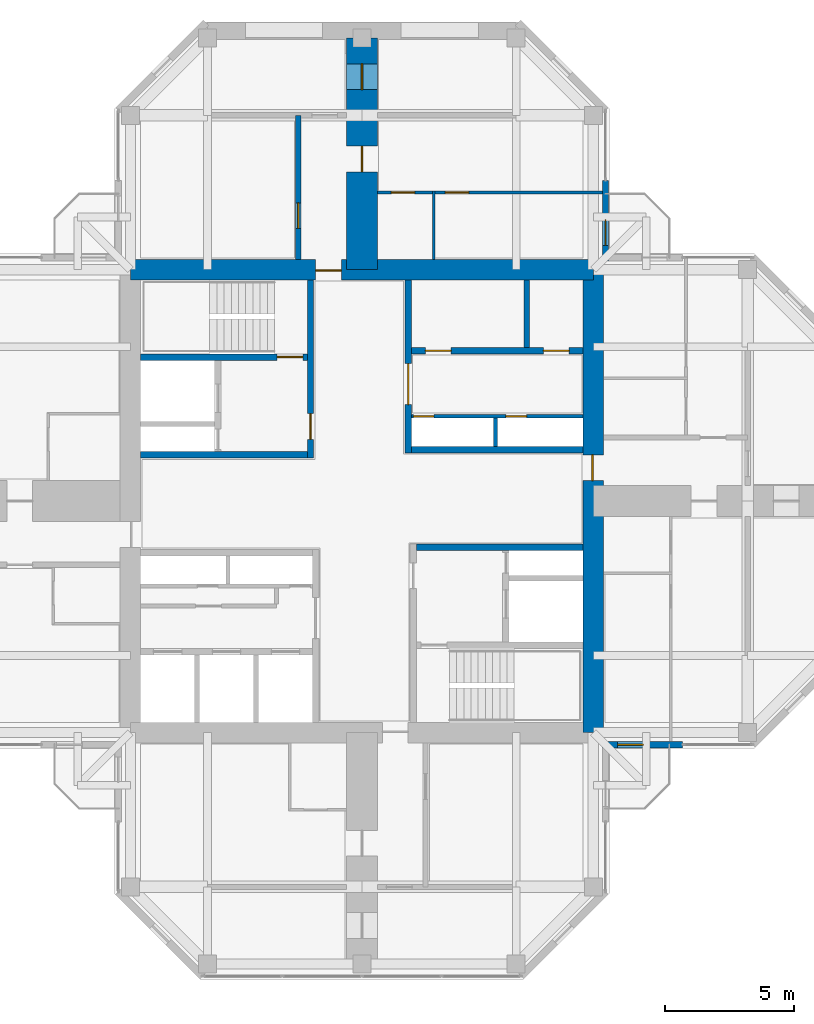
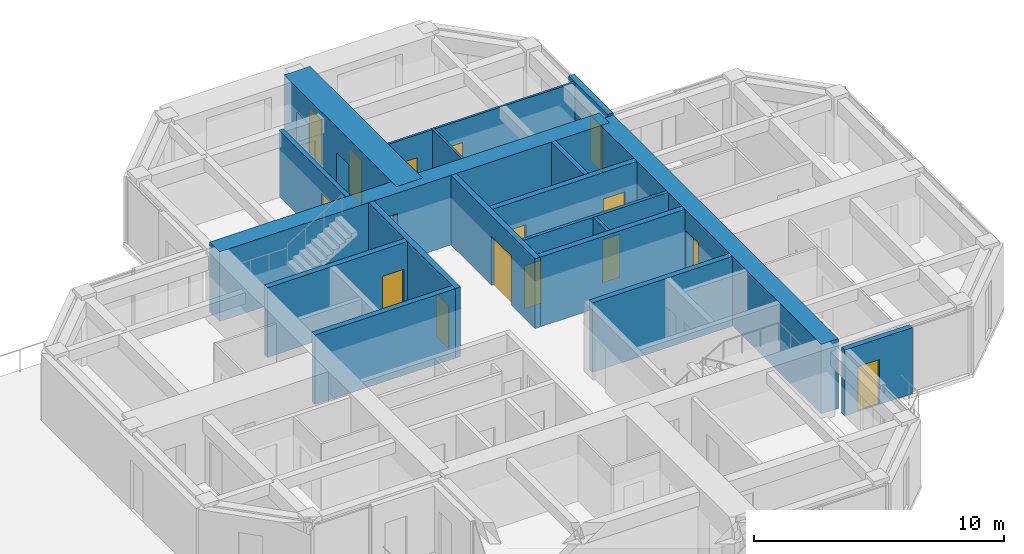
# One storey, part 10 of 14: 18 walls, 16 doors, 16 openings.
"""IFC4 building model written with IfcOpenShell, lengths in metres."""

from ifc_helpers import new_model, si_unit, direction, frame, frame_2d, origin, place, context, subcontext, project, spatial, rectangle, hollow_rectangle, extrude, material, layer, layer_set, constituent, constituent_set, type_object, element, fill, save


model = new_model("IFC4")

# Units and contexts
model_context = context("Model", 3, precision=1e-05, world=origin(), true_north=direction((0.0, 1.0)))
body_context = subcontext(model_context, "Body", "Model", "MODEL_VIEW")
ifc_project = project(units=[si_unit("LENGTHUNIT", "METRE"), si_unit("AREAUNIT", "SQUARE_METRE"), si_unit("VOLUMEUNIT", "CUBIC_METRE"), si_unit("PLANEANGLEUNIT", "RADIAN"), si_unit("MASSUNIT", "GRAM", prefix="KILO")], contexts=[model_context])

# Site, building, storey
site_placement = place(None, origin())
site = spatial("IfcSite", under=ifc_project, at=site_placement, CompositionType="ELEMENT")
building_placement = place(site_placement, origin())
building = spatial("IfcBuilding", under=site, at=building_placement, Name="Torre Cruceta", CompositionType="ELEMENT")
storey_placement = place(building_placement, frame((0.0, 0.0, 257.699951171875)))
storey = spatial("IfcBuildingStorey", under=building, at=storey_placement, Name="L66", CompositionType="ELEMENT", Elevation=257.699951171875)

# Wall
ifc_material_1 = material(Name="Water-resistant plasterboard on steel studs", Category="steel")
ifc_layer_1 = layer(ifc_material_1, 0.10009765625)
ifc_layer_set_1 = layer_set([ifc_layer_1], Name="Water-resistant plasterboard on steel studs")
wall_type_1 = type_object("IfcWallType", Name="BATHROOM WALL 100", PredefinedType="PARTITIONING", material=ifc_layer_set_1)
wall_1_placement = place(storey_placement, frame((2.800048828125, 9.39990234375, 0.0), z_axis=(0.0, 0.0, 1.0), x_axis=(0.0, 1.0, 0.0)))
element("IfcWall", 1, at=wall_1_placement, inside=storey, type_object=wall_type_1, Name="PT4 L66-N-U1RBB", PredefinedType="PARTITIONING", context=body_context, shape_type="SweptSolid", body=[
    extrude(rectangle(XDim=2.650146484375, YDim=0.10009765625, at=frame_2d((1.3251953125, 0.0))), origin(), (0.0, 0.0, 1.0), 3.219970703125),
])

# Wall, openings, doors
wall_2_placement = place(storey_placement, frame((9.344970703125, 12.0, 0.0), z_axis=(0.0, 0.0, 1.0), x_axis=(-1.0, 0.0, 0.0)))
wall_2 = element("IfcWall", 2, at=wall_2_placement, inside=storey, type_object=wall_type_1, Name="PT4 L66-N-U1RBS", PredefinedType="PARTITIONING", context=body_context, shape_type="SweptSolid", body=[
    extrude(rectangle(XDim=8.744873046875, YDim=0.10009765625, at=frame_2d((4.37255859375, 0.0))), origin(), (0.0, 0.0, 1.0), 3.219970703125),
])
opening_1_placement = place(wall_2_placement, frame((5.195068359375, 0.0, 0.0)))
opening_1 = element("IfcOpeningElement", 3, at=opening_1_placement, cuts=wall_2, Name="Opening D7", PredefinedType="OPENING", context=body_context, shape_type="SweptSolid", body=[
    extrude(rectangle(XDim=0.89990234375, YDim=2.10009765625, at=frame_2d((0.449951171875, 1.050048828125))), frame((0.0, 0.06005859375, 0.0), z_axis=(0.0, -1.0, 0.0), x_axis=(1.0, 0.0, 0.0)), (0.0, 0.0, 1.0), 0.1201171875),
])
opening_2_placement = place(wall_2_placement, frame((7.294921875, 0.0, 0.0)))
opening_2 = element("IfcOpeningElement", 4, at=opening_2_placement, cuts=wall_2, Name="Opening D7", PredefinedType="OPENING", context=body_context, shape_type="SweptSolid", body=[
    extrude(rectangle(XDim=0.89990234375, YDim=2.10009765625, at=frame_2d((0.449951171875, 1.050048828125))), frame((0.0, 0.06005859375, 0.0), z_axis=(0.0, -1.0, 0.0), x_axis=(1.0, 0.0, 0.0)), (0.0, 0.0, 1.0), 0.1201171875),
])
ifc_material_2 = material(Name="Timber door", Category="wood")
door_type_1 = type_object("IfcDoorType", Name="BATHROOM DOOR 900X2100", OperationType="SINGLE_SWING_LEFT", PredefinedType="DOOR", material=ifc_material_2)
door_1_placement = place(opening_1_placement, origin())
door_1 = element("IfcDoor", 5, at=door_1_placement, inside=storey, type_object=door_type_1, Name="D7 L66-N-U1RBS-D1", OperationType="SINGLE_SWING_RIGHT", OverallHeight=2.10009765625, OverallWidth=0.89990234375, PredefinedType="DOOR", context=body_context, shape_type="SweptSolid", body=[
    extrude(rectangle(XDim=0.89990234375, YDim=2.10009765625, at=frame_2d((0.449951171875, 1.050048828125))), frame((0.0, 0.02490234375, 0.0), z_axis=(0.0, -1.0, 0.0), x_axis=(1.0, 0.0, 0.0)), (0.0, 0.0, 1.0), 0.050048828125),
])
fill(opening_1, door_1)
door_2_placement = place(opening_2_placement, origin())
door_2 = element("IfcDoor", 6, at=door_2_placement, inside=storey, type_object=door_type_1, Name="D7 L66-N-U1RBS-D2", OperationType="SINGLE_SWING_RIGHT", OverallHeight=2.10009765625, OverallWidth=0.89990234375, PredefinedType="DOOR", context=body_context, shape_type="SweptSolid", body=[
    extrude(rectangle(XDim=0.89990234375, YDim=2.10009765625, at=frame_2d((0.449951171875, 1.050048828125))), frame((0.0, 0.02490234375, 0.0), z_axis=(0.0, -1.0, 0.0), x_axis=(1.0, 0.0, 0.0)), (0.0, 0.0, 1.0), 0.050048828125),
])
fill(opening_2, door_2)

# Wall, opening, door
ifc_material_3 = material(Name="Concrete G60 (fck 60 MPa)", Category="concrete")
ifc_layer_2 = layer(ifc_material_3, 0.25)
ifc_layer_set_2 = layer_set([ifc_layer_2], Name="Concrete G60 (fck 60 MPa)")
wall_type_2 = type_object("IfcWallType", Name="CORE INNER WALL 250 G60", PredefinedType="SHEAR", material=ifc_layer_set_2)
wall_3_placement = place(storey_placement, frame((1.800048828125, 1.875, 0.0), z_axis=(0.0, 0.0, 1.0), x_axis=(0.0, 1.0, 0.0)))
wall_3 = element("IfcWall", 7, at=wall_3_placement, inside=storey, type_object=wall_type_2, Name="CW4 L66 NE-CU", PredefinedType="SHEAR", context=body_context, shape_type="SweptSolid", body=[
    extrude(rectangle(XDim=6.72509765625, YDim=0.25, at=frame_2d((3.362548828125, 0.0))), origin(), (0.0, 0.0, 1.0), 3.400146484375),
])
opening_3_placement = place(wall_3_placement, frame((1.875, 0.0, 0.0)))
opening_3 = element("IfcOpeningElement", 8, at=opening_3_placement, cuts=wall_3, Name="Opening D15", PredefinedType="OPENING", context=body_context, shape_type="SweptSolid", body=[
    extrude(rectangle(XDim=1.60009765625, YDim=2.39990234375, at=frame_2d((0.800048828125, 1.199951171875))), frame((0.0, 0.135009765625, 0.0), z_axis=(0.0, -1.0, 0.0), x_axis=(1.0, 0.0, 0.0)), (0.0, 0.0, 1.0), 0.27001953125),
])
ifc_material_4 = material(Name="Steel DX51D", Category="steel")
ifc_constituent_1 = constituent(ifc_material_4, Name="Leaf and frame")
ifc_material_5 = material(Name="Polyester powder coating", Category="paint")
ifc_constituent_2 = constituent(ifc_material_5, Name="Finish")
ifc_constituent_set_1 = constituent_set(constituents=[ifc_constituent_1, ifc_constituent_2], Name="Steel fire door")
door_type_2 = type_object("IfcDoorType", Name="CORE ROOM DOUBLE DOOR 1600X2400", OperationType="DOUBLE_DOOR_SINGLE_SWING", PredefinedType="DOOR", material=ifc_constituent_set_1)
door_3_placement = place(opening_3_placement, frame((1.60009765625, 0.0, 0.0), z_axis=(0.0, 0.0, 1.0), x_axis=(-1.0, 0.0, 0.0)))
door_3 = element("IfcDoor", 9, at=door_3_placement, inside=storey, type_object=door_type_2, Name="D15 L66 NE-LOBBY", OperationType="DOUBLE_DOOR_SINGLE_SWING", OverallHeight=2.39990234375, OverallWidth=1.60009765625, PredefinedType="DOOR", context=body_context, shape_type="SweptSolid", body=[
    extrude(rectangle(XDim=1.60009765625, YDim=2.39990234375, at=frame_2d((0.800048828125, 1.199951171875))), frame((0.0, 0.025146484375, 0.0), z_axis=(0.0, -1.0, 0.0), x_axis=(1.0, 0.0, 0.0)), (0.0, 0.0, 1.0), 0.050048828125),
])
fill(opening_3, door_3)

# Wall
wall_4_placement = place(storey_placement, frame((1.925048828125, 2.0, 0.0), z_axis=(0.0, 0.0, 1.0), x_axis=(1.0, 0.0, 0.0)))
element("IfcWall", 10, at=wall_4_placement, inside=storey, type_object=wall_type_2, Name="CW4 L66 NE-CV", PredefinedType="SHEAR", context=body_context, shape_type="SweptSolid", body=[
    extrude(rectangle(XDim=6.675048828125, YDim=0.25, at=frame_2d((3.33740234375, 0.0))), origin(), (0.0, 0.0, 1.0), 3.400146484375),
])

# Wall, openings, doors
wall_5_placement = place(storey_placement, frame((1.925048828125, 5.85009765625, 0.0), z_axis=(0.0, 0.0, 1.0), x_axis=(1.0, 0.0, 0.0)))
wall_5 = element("IfcWall", 11, at=wall_5_placement, inside=storey, type_object=wall_type_2, Name="CW4 L66 NE-LV", PredefinedType="SHEAR", context=body_context, shape_type="SweptSolid", body=[
    extrude(rectangle(XDim=6.675048828125, YDim=0.25, at=frame_2d((3.33740234375, 0.0))), origin(), (0.0, 0.0, 1.0), 3.400146484375),
])
opening_4_placement = place(wall_5_placement, frame((0.5458984375, 0.0, 0.0)))
opening_4 = element("IfcOpeningElement", 12, at=opening_4_placement, cuts=wall_5, Name="Opening D3", PredefinedType="OPENING", context=body_context, shape_type="SweptSolid", body=[
    extrude(rectangle(XDim=1.0, YDim=2.10009765625, at=frame_2d((0.5, 1.050048828125))), frame((0.0, 0.135009765625, 0.0), z_axis=(0.0, -1.0, 0.0), x_axis=(1.0, 0.0, 0.0)), (0.0, 0.0, 1.0), 0.27001953125),
])
opening_5_placement = place(wall_5_placement, frame((5.129150390625, 0.0, 0.0)))
opening_5 = element("IfcOpeningElement", 13, at=opening_5_placement, cuts=wall_5, Name="Opening D3", PredefinedType="OPENING", context=body_context, shape_type="SweptSolid", body=[
    extrude(rectangle(XDim=1.0, YDim=2.10009765625, at=frame_2d((0.5, 1.050048828125))), frame((0.0, 0.135009765625, 0.0), z_axis=(0.0, -1.0, 0.0), x_axis=(1.0, 0.0, 0.0)), (0.0, 0.0, 1.0), 0.27001953125),
])
ifc_material_6 = material(Name="Steel DX51D", Category="steel")
ifc_constituent_3 = constituent(ifc_material_6, Name="Leaf and frame")
ifc_material_7 = material(Name="Polyester powder coating", Category="paint")
ifc_constituent_4 = constituent(ifc_material_7, Name="Finish")
ifc_constituent_set_2 = constituent_set(constituents=[ifc_constituent_3, ifc_constituent_4], Name="Steel fire door")
door_type_3 = type_object("IfcDoorType", Name="FIRE DOOR 1000X2100", OperationType="SINGLE_SWING_LEFT", PredefinedType="DOOR", material=ifc_constituent_set_2)
door_4_placement = place(opening_4_placement, origin())
door_4 = element("IfcDoor", 14, at=door_4_placement, inside=storey, type_object=door_type_3, Name="D3 L66 NE-HR1", OperationType="SINGLE_SWING_LEFT", OverallHeight=2.10009765625, OverallWidth=1.0, PredefinedType="DOOR", context=body_context, shape_type="SweptSolid", body=[
    extrude(rectangle(XDim=1.0, YDim=2.10009765625, at=frame_2d((0.5, 1.050048828125))), frame((0.0, 0.02490234375, 0.0), z_axis=(0.0, -1.0, 0.0), x_axis=(1.0, 0.0, 0.0)), (0.0, 0.0, 1.0), 0.050048828125),
])
fill(opening_4, door_4)
door_5_placement = place(opening_5_placement, origin())
door_5 = element("IfcDoor", 15, at=door_5_placement, inside=storey, type_object=door_type_3, Name="D3 L66 NE-HR2", OperationType="SINGLE_SWING_RIGHT", OverallHeight=2.10009765625, OverallWidth=1.0, PredefinedType="DOOR", context=body_context, shape_type="SweptSolid", body=[
    extrude(rectangle(XDim=1.0, YDim=2.10009765625, at=frame_2d((0.5, 1.050048828125))), frame((0.0, 0.02490234375, 0.0), z_axis=(0.0, -1.0, 0.0), x_axis=(1.0, 0.0, 0.0)), (0.0, 0.0, 1.0), 0.050048828125),
])
fill(opening_5, door_5)

# Wall, opening, door
wall_6_placement = place(storey_placement, frame((-2.0, 1.675048828125, 0.0), z_axis=(0.0, 0.0, 1.0), x_axis=(0.0, 1.0, 0.0)))
wall_6 = element("IfcWall", 16, at=wall_6_placement, inside=storey, type_object=wall_type_2, Name="CW4 L66 NW-CU", PredefinedType="SHEAR", context=body_context, shape_type="SweptSolid", body=[
    extrude(rectangle(XDim=6.925048828125, YDim=0.25, at=frame_2d((3.46240234375, 0.0))), origin(), (0.0, 0.0, 1.0), 3.400146484375),
])
opening_6_placement = place(wall_6_placement, frame((0.72509765625, 0.0, 0.0)))
opening_6 = element("IfcOpeningElement", 17, at=opening_6_placement, cuts=wall_6, Name="Opening D3", PredefinedType="OPENING", context=body_context, shape_type="SweptSolid", body=[
    extrude(rectangle(XDim=1.0, YDim=2.10009765625, at=frame_2d((0.5, 1.050048828125))), frame((0.0, 0.135009765625, 0.0), z_axis=(0.0, -1.0, 0.0), x_axis=(1.0, 0.0, 0.0)), (0.0, 0.0, 1.0), 0.27001953125),
])
door_6_placement = place(opening_6_placement, origin())
door_6 = element("IfcDoor", 18, at=door_6_placement, inside=storey, type_object=door_type_3, Name="D3 L66 NW-LOBBY", OperationType="SINGLE_SWING_LEFT", OverallHeight=2.10009765625, OverallWidth=1.0, PredefinedType="DOOR", context=body_context, shape_type="SweptSolid", body=[
    extrude(rectangle(XDim=1.0, YDim=2.10009765625, at=frame_2d((0.5, 1.050048828125))), frame((0.0, 0.02490234375, 0.0), z_axis=(0.0, -1.0, 0.0), x_axis=(1.0, 0.0, 0.0)), (0.0, 0.0, 1.0), 0.050048828125),
])
fill(opening_6, door_6)

# Wall
wall_7_placement = place(storey_placement, frame((-2.125, 1.800048828125, 0.0), z_axis=(0.0, 0.0, 1.0), x_axis=(-1.0, 0.0, 0.0)))
element("IfcWall", 19, at=wall_7_placement, inside=storey, type_object=wall_type_2, Name="CW4 L66 NW-CV", PredefinedType="SHEAR", context=body_context, shape_type="SweptSolid", body=[
    extrude(rectangle(XDim=6.47509765625, YDim=0.25, at=frame_2d((3.237548828125, 0.0))), origin(), (0.0, 0.0, 1.0), 3.400146484375),
])

# Wall, opening, door
wall_8_placement = place(storey_placement, frame((-2.125, 5.60009765625, 0.0), z_axis=(0.0, 0.0, 1.0), x_axis=(-1.0, 0.0, 0.0)))
wall_8 = element("IfcWall", 20, at=wall_8_placement, inside=storey, type_object=wall_type_2, Name="CW4 L66 NW-SV", PredefinedType="SHEAR", context=body_context, shape_type="SweptSolid", body=[
    extrude(rectangle(XDim=6.47509765625, YDim=0.25, at=frame_2d((3.237548828125, 0.0))), origin(), (0.0, 0.0, 1.0), 3.400146484375),
])
opening_7_placement = place(wall_8_placement, frame((0.175048828125, 0.0, 0.0)))
opening_7 = element("IfcOpeningElement", 21, at=opening_7_placement, cuts=wall_8, Name="Opening D3", PredefinedType="OPENING", context=body_context, shape_type="SweptSolid", body=[
    extrude(rectangle(XDim=1.0, YDim=2.10009765625, at=frame_2d((0.5, 1.050048828125))), frame((0.0, 0.135009765625, 0.0), z_axis=(0.0, -1.0, 0.0), x_axis=(1.0, 0.0, 0.0)), (0.0, 0.0, 1.0), 0.27001953125),
])
door_7_placement = place(opening_7_placement, frame((1.0, 0.0, 0.0), z_axis=(0.0, 0.0, 1.0), x_axis=(-1.0, 0.0, 0.0)))
door_7 = element("IfcDoor", 22, at=door_7_placement, inside=storey, type_object=door_type_3, Name="D3 L66 NW-STAIR", OperationType="SINGLE_SWING_RIGHT", OverallHeight=2.10009765625, OverallWidth=1.0, PredefinedType="DOOR", context=body_context, shape_type="SweptSolid", body=[
    extrude(rectangle(XDim=1.0, YDim=2.10009765625, at=frame_2d((0.5, 1.050048828125))), frame((0.0, 0.025146484375, 0.0), z_axis=(0.0, -1.0, 0.0), x_axis=(1.0, 0.0, 0.0)), (0.0, 0.0, 1.0), 0.050048828125),
])
fill(opening_7, door_7)

# Wall
wall_9_placement = place(storey_placement, frame((2.125, -1.800048828125, 0.0), z_axis=(0.0, 0.0, 1.0), x_axis=(1.0, 0.0, 0.0)))
element("IfcWall", 23, at=wall_9_placement, inside=storey, type_object=wall_type_2, Name="CW4 L66 SE-CV", PredefinedType="SHEAR", context=body_context, shape_type="SweptSolid", body=[
    extrude(rectangle(XDim=6.47509765625, YDim=0.25, at=frame_2d((3.237548828125, 0.0))), origin(), (0.0, 0.0, 1.0), 3.400146484375),
])

# Wall, opening, door
ifc_material_8 = material(Name="Concrete G60 (fck 60 MPa)", Category="concrete")
ifc_layer_3 = layer(ifc_material_8, 0.800048828125)
ifc_layer_set_3 = layer_set([ifc_layer_3], Name="Concrete G60 (fck 60 MPa)")
wall_type_3 = type_object("IfcWallType", Name="CORE WALL 800 G60", PredefinedType="SHEAR", material=ifc_layer_set_3)
wall_10_placement = place(storey_placement, frame((9.0, 9.0, 0.0), z_axis=(0.0, 0.0, 1.0), x_axis=(-1.0, 0.0, 0.0)))
wall_10 = element("IfcWall", 24, at=wall_10_placement, inside=storey, type_object=wall_type_3, Name="CW3 L66 CW-N", PredefinedType="SHEAR", context=body_context, shape_type="SweptSolid", body=[
    extrude(rectangle(XDim=18.0, YDim=0.800048828125, at=frame_2d((9.0, 0.0))), origin(), (0.0, 0.0, 1.0), 3.400146484375),
])
opening_8_placement = place(wall_10_placement, frame((9.800048828125, 0.0, 0.0)))
opening_8 = element("IfcOpeningElement", 25, at=opening_8_placement, cuts=wall_10, Name="Opening D4", PredefinedType="OPENING", context=body_context, shape_type="SweptSolid", body=[
    extrude(rectangle(XDim=1.0, YDim=2.39990234375, at=frame_2d((0.5, 1.199951171875))), frame((0.0, 0.409912109375, 0.0), z_axis=(0.0, -1.0, 0.0), x_axis=(1.0, 0.0, 0.0)), (0.0, 0.0, 1.0), 0.820068359375),
])
ifc_material_9 = material(Name="Steel DX51D", Category="steel")
ifc_constituent_5 = constituent(ifc_material_9, Name="Leaf and frame")
ifc_material_10 = material(Name="Polyester powder coating", Category="paint")
ifc_constituent_6 = constituent(ifc_material_10, Name="Finish")
ifc_constituent_set_3 = constituent_set(constituents=[ifc_constituent_5, ifc_constituent_6], Name="Steel fire door")
door_type_4 = type_object("IfcDoorType", Name="CORE ARM DOOR 1000X2400", OperationType="SINGLE_SWING_RIGHT", PredefinedType="DOOR", material=ifc_constituent_set_3)
door_8_placement = place(opening_8_placement, origin())
door_8 = element("IfcDoor", 26, at=door_8_placement, inside=storey, type_object=door_type_4, Name="D4 L66 CW-N", OperationType="SINGLE_SWING_RIGHT", OverallHeight=2.39990234375, OverallWidth=1.0, PredefinedType="DOOR", context=body_context, shape_type="SweptSolid", body=[
    extrude(rectangle(XDim=1.0, YDim=2.39990234375, at=frame_2d((0.5, 1.199951171875))), frame((0.0, 0.05517578125, 0.0), z_axis=(0.0, -1.0, 0.0), x_axis=(1.0, 0.0, 0.0)), (0.0, 0.0, 1.0), 0.050048828125),
])
fill(opening_8, door_8)

wall_11_placement = place(storey_placement, frame((9.0, -9.0, 0.0), z_axis=(0.0, 0.0, 1.0), x_axis=(0.0, 1.0, 0.0)))
wall_11 = element("IfcWall", 27, at=wall_11_placement, inside=storey, type_object=wall_type_3, Name="CW3 L66 CW-E", PredefinedType="SHEAR", context=body_context, shape_type="SweptSolid", body=[
    extrude(rectangle(XDim=18.0, YDim=0.800048828125, at=frame_2d((9.0, 0.0))), origin(), (0.0, 0.0, 1.0), 3.400146484375),
])
opening_9_placement = place(wall_11_placement, frame((9.800048828125, 0.0, 0.0)))
opening_9 = element("IfcOpeningElement", 28, at=opening_9_placement, cuts=wall_11, Name="Opening D4", PredefinedType="OPENING", context=body_context, shape_type="SweptSolid", body=[
    extrude(rectangle(XDim=1.0, YDim=2.39990234375, at=frame_2d((0.5, 1.199951171875))), frame((0.0, 0.409912109375, 0.0), z_axis=(0.0, -1.0, 0.0), x_axis=(1.0, 0.0, 0.0)), (0.0, 0.0, 1.0), 0.820068359375),
])
door_9_placement = place(opening_9_placement, origin())
door_9 = element("IfcDoor", 29, at=door_9_placement, inside=storey, type_object=door_type_4, Name="D4 L66 CW-E", OperationType="SINGLE_SWING_RIGHT", OverallHeight=2.39990234375, OverallWidth=1.0, PredefinedType="DOOR", context=body_context, shape_type="SweptSolid", body=[
    extrude(rectangle(XDim=1.0, YDim=2.39990234375, at=frame_2d((0.5, 1.199951171875))), frame((0.0, 0.05517578125, 0.0), z_axis=(0.0, -1.0, 0.0), x_axis=(1.0, 0.0, 0.0)), (0.0, 0.0, 1.0), 0.050048828125),
])
fill(opening_9, door_9)

ifc_material_11 = material(Name="Concrete G25 (fck 25 MPa)", Category="concrete")
ifc_layer_4 = layer(ifc_material_11, 0.199951171875)
ifc_layer_set_4 = layer_set([ifc_layer_4], Name="Concrete G25 (fck 25 MPa)")
wall_type_4 = type_object("IfcWallType", Name="CORRIDOR WALL 200", PredefinedType="SOLIDWALL", material=ifc_layer_set_4)
wall_12_placement = place(storey_placement, frame((-2.47509765625, 9.39990234375, 0.0), z_axis=(0.0, 0.0, 1.0), x_axis=(0.0, 1.0, 0.0)))
wall_12 = element("IfcWall", 30, at=wall_12_placement, inside=storey, type_object=wall_type_4, Name="PT3 L66-N-CL", PredefinedType="SOLIDWALL", context=body_context, shape_type="SweptSolid", body=[
    extrude(rectangle(XDim=5.60009765625, YDim=0.199951171875, at=frame_2d((2.800048828125, 0.0))), origin(), (0.0, 0.0, 1.0), 3.219970703125),
])
opening_10_placement = place(wall_12_placement, frame((1.199951171875, 0.0, 0.0)))
opening_10 = element("IfcOpeningElement", 31, at=opening_10_placement, cuts=wall_12, Name="Opening D14", PredefinedType="OPENING", context=body_context, shape_type="SweptSolid", body=[
    extrude(rectangle(XDim=1.0, YDim=2.199951171875, at=frame_2d((0.5, 1.10009765625))), frame((0.0, 0.10986328125, 0.0), z_axis=(0.0, -1.0, 0.0), x_axis=(1.0, 0.0, 0.0)), (0.0, 0.0, 1.0), 0.219970703125),
])
ifc_material_12 = material(Name="Steel DX51D", Category="steel")
ifc_constituent_7 = constituent(ifc_material_12, Name="Leaf and frame")
ifc_material_13 = material(Name="Polyester powder coating", Category="paint")
ifc_constituent_8 = constituent(ifc_material_13, Name="Finish")
ifc_material_14 = material(Name="Fire-resisting glass", Category="glass")
ifc_constituent_9 = constituent(ifc_material_14, Name="Vision panel")
ifc_constituent_set_4 = constituent_set(constituents=[ifc_constituent_7, ifc_constituent_8, ifc_constituent_9], Name="Steel fire door with vision panel")
door_type_5 = type_object("IfcDoorType", Name="FIRE DOOR VISION PANEL 1000X2200", OperationType="SINGLE_SWING_RIGHT", PredefinedType="DOOR", material=ifc_constituent_set_4)
door_10_placement = place(opening_10_placement, origin())
door_10 = element("IfcDoor", 32, at=door_10_placement, inside=storey, type_object=door_type_5, Name="D14 L66-N-CL-D1", OperationType="SINGLE_SWING_LEFT", OverallHeight=2.199951171875, OverallWidth=1.0, PredefinedType="DOOR", context=body_context, shape_type="SweptSolid", body=[
    extrude(rectangle(XDim=1.0, YDim=2.199951171875, at=frame_2d((0.5, 1.10009765625))), frame((0.0, 0.02490234375, 0.0), z_axis=(0.0, -1.0, 0.0), x_axis=(1.0, 0.0, 0.0)), (0.0, 0.0, 1.0), 0.050048828125),
])
fill(opening_10, door_10)

# Wall
ifc_material_15 = material(Name="Concrete G35 (fck 35 MPa)", Category="concrete")
ifc_layer_5 = layer(ifc_material_15, 0.199951171875)
ifc_layer_set_5 = layer_set([ifc_layer_5], Name="Concrete G35 (fck 35 MPa)")
wall_type_5 = type_object("IfcWallType", Name="LIFT SHAFT WALL 200", PredefinedType="PARTITIONING", material=ifc_layer_set_5)
wall_13_placement = place(storey_placement, frame((6.408447265625, 5.97509765625, 0.0), z_axis=(0.0, 0.0, 1.0), x_axis=(0.0, 1.0, 0.0)))
element("IfcWall", 33, at=wall_13_placement, inside=storey, type_object=wall_type_5, Name="SW1 L66 NE-LS2", PredefinedType="PARTITIONING", context=body_context, shape_type="SweptSolid", body=[
    extrude(rectangle(XDim=2.625, YDim=0.199951171875, at=frame_2d((1.3125, 0.0))), origin(), (0.0, 0.0, 1.0), 3.400146484375),
])

# Wall, openings, doors
ifc_material_16 = material(Name="Concrete block masonry", Category="masonry")
ifc_layer_6 = layer(ifc_material_16, 0.14990234375)
ifc_layer_set_6 = layer_set([ifc_layer_6], Name="Concrete block masonry")
wall_type_6 = type_object("IfcWallType", Name="RISER WALL 150", PredefinedType="PARTITIONING", material=ifc_layer_set_6)
wall_14_placement = place(storey_placement, frame((1.925048828125, 3.300048828125, 0.0), z_axis=(0.0, 0.0, 1.0), x_axis=(1.0, 0.0, 0.0)))
wall_14 = element("IfcWall", 34, at=wall_14_placement, inside=storey, type_object=wall_type_6, Name="SW7 L66 NE-RV", PredefinedType="PARTITIONING", context=body_context, shape_type="SweptSolid", body=[
    extrude(rectangle(XDim=6.675048828125, YDim=0.14990234375, at=frame_2d((3.33740234375, 0.0))), origin(), (0.0, 0.0, 1.0), 3.400146484375),
])
opening_11_placement = place(wall_14_placement, frame((0.074951171875, 0.0, 0.0)))
opening_11 = element("IfcOpeningElement", 35, at=opening_11_placement, cuts=wall_14, Name="Opening D5", PredefinedType="OPENING", context=body_context, shape_type="SweptSolid", body=[
    extrude(rectangle(XDim=0.800048828125, YDim=2.10009765625, at=frame_2d((0.39990234375, 1.050048828125))), frame((0.0, 0.0849609375, 0.0), z_axis=(0.0, -1.0, 0.0), x_axis=(1.0, 0.0, 0.0)), (0.0, 0.0, 1.0), 0.169921875),
])
opening_12_placement = place(wall_14_placement, frame((3.675048828125, 0.0, 0.0)))
opening_12 = element("IfcOpeningElement", 36, at=opening_12_placement, cuts=wall_14, Name="Opening D5", PredefinedType="OPENING", context=body_context, shape_type="SweptSolid", body=[
    extrude(rectangle(XDim=0.800048828125, YDim=2.10009765625, at=frame_2d((0.39990234375, 1.050048828125))), frame((0.0, 0.0849609375, 0.0), z_axis=(0.0, -1.0, 0.0), x_axis=(1.0, 0.0, 0.0)), (0.0, 0.0, 1.0), 0.169921875),
])
ifc_material_17 = material(Name="Steel DX51D", Category="steel")
ifc_constituent_10 = constituent(ifc_material_17, Name="Leaf and frame")
ifc_material_18 = material(Name="Polyester powder coating", Category="paint")
ifc_constituent_11 = constituent(ifc_material_18, Name="Finish")
ifc_constituent_set_5 = constituent_set(constituents=[ifc_constituent_10, ifc_constituent_11], Name="Steel fire door")
door_type_6 = type_object("IfcDoorType", Name="RISER ACCESS DOOR 800X2100", OperationType="SINGLE_SWING_LEFT", PredefinedType="DOOR", material=ifc_constituent_set_5)
door_11_placement = place(opening_11_placement, frame((0.800048828125, 0.0, 0.0), z_axis=(0.0, 0.0, 1.0), x_axis=(-1.0, 0.0, 0.0)))
door_11 = element("IfcDoor", 37, at=door_11_placement, inside=storey, type_object=door_type_6, Name="D5 L66 NE-RISER1", OperationType="SINGLE_SWING_RIGHT", OverallHeight=2.10009765625, OverallWidth=0.800048828125, PredefinedType="DOOR", context=body_context, shape_type="SweptSolid", body=[
    extrude(rectangle(XDim=0.800048828125, YDim=2.10009765625, at=frame_2d((0.400146484375, 1.050048828125))), frame((0.0, 0.025146484375, 0.0), z_axis=(0.0, -1.0, 0.0), x_axis=(1.0, 0.0, 0.0)), (0.0, 0.0, 1.0), 0.050048828125),
])
fill(opening_11, door_11)
door_12_placement = place(opening_12_placement, frame((0.800048828125, 0.0, 0.0), z_axis=(0.0, 0.0, 1.0), x_axis=(-1.0, 0.0, 0.0)))
door_12 = element("IfcDoor", 38, at=door_12_placement, inside=storey, type_object=door_type_6, Name="D5 L66 NE-RISER2", OperationType="SINGLE_SWING_RIGHT", OverallHeight=2.10009765625, OverallWidth=0.800048828125, PredefinedType="DOOR", context=body_context, shape_type="SweptSolid", body=[
    extrude(rectangle(XDim=0.800048828125, YDim=2.10009765625, at=frame_2d((0.400146484375, 1.050048828125))), frame((0.0, 0.025146484375, 0.0), z_axis=(0.0, -1.0, 0.0), x_axis=(1.0, 0.0, 0.0)), (0.0, 0.0, 1.0), 0.050048828125),
])
fill(opening_12, door_12)

# Wall
wall_15_placement = place(storey_placement, frame((5.199951171875, 2.125, 0.0), z_axis=(0.0, 0.0, 1.0), x_axis=(0.0, 1.0, 0.0)))
element("IfcWall", 39, at=wall_15_placement, inside=storey, type_object=wall_type_6, Name="SW7 L66 NE-RU", PredefinedType="PARTITIONING", context=body_context, shape_type="SweptSolid", body=[
    extrude(rectangle(XDim=1.10009765625, YDim=0.14990234375, at=frame_2d((0.550048828125, 0.0))), origin(), (0.0, 0.0, 1.0), 3.400146484375),
])

# Wall, openings, doors
ifc_material_19 = material(Name="Concrete G60 (fck 60 MPa)", Category="concrete")
ifc_layer_7 = layer(ifc_material_19, 1.199951171875)
ifc_layer_set_7 = layer_set([ifc_layer_7], Name="Concrete G60 (fck 60 MPa)")
wall_type_7 = type_object("IfcWallType", Name="SPINE WALL 1200 G60", PredefinedType="SHEAR", material=ifc_layer_set_7)
wall_16_placement = place(storey_placement, frame((0.0, 9.0, 0.0), z_axis=(0.0, 0.0, 1.0), x_axis=(0.0, 1.0, 0.0)))
wall_16 = element("IfcWall", 40, at=wall_16_placement, inside=storey, type_object=wall_type_7, Name="SW3 spine wall L66 N", PredefinedType="SHEAR", context=body_context, shape_type="SweptSolid", body=[
    extrude(rectangle(XDim=9.0, YDim=1.199951171875, at=frame_2d((4.5, 0.0))), origin(), (0.0, 0.0, 1.0), 3.400146484375),
])
opening_13_placement = place(wall_16_placement, frame((3.800048828125, 0.0, 0.0)))
opening_13 = element("IfcOpeningElement", 41, at=opening_13_placement, cuts=wall_16, Name="Opening D6", PredefinedType="OPENING", context=body_context, shape_type="SweptSolid", body=[
    extrude(rectangle(XDim=1.0, YDim=2.14990234375, at=frame_2d((0.5, 1.074951171875))), frame((0.0, 0.60986328125, 0.0), z_axis=(0.0, -1.0, 0.0), x_axis=(1.0, 0.0, 0.0)), (0.0, 0.0, 1.0), 1.219970703125),
])
opening_14_placement = place(wall_16_placement, frame((7.0, 0.0, 0.0)))
opening_14 = element("IfcOpeningElement", 42, at=opening_14_placement, cuts=wall_16, Name="Opening D14", PredefinedType="OPENING", context=body_context, shape_type="SweptSolid", body=[
    extrude(rectangle(XDim=1.0, YDim=2.199951171875, at=frame_2d((0.5, 1.10009765625))), frame((0.0, 0.60986328125, 0.0), z_axis=(0.0, -1.0, 0.0), x_axis=(1.0, 0.0, 0.0)), (0.0, 0.0, 1.0), 1.219970703125),
])
door_13_placement = place(opening_14_placement, origin())
door_13 = element("IfcDoor", 43, at=door_13_placement, inside=storey, type_object=door_type_5, Name="D14 L66-N-SP2", OperationType="SINGLE_SWING_RIGHT", OverallHeight=2.199951171875, OverallWidth=1.0, PredefinedType="DOOR", context=body_context, shape_type="SweptSolid", body=[
    extrude(rectangle(XDim=1.0, YDim=2.199951171875, at=frame_2d((0.5, 1.10009765625))), frame((0.0, 0.02490234375, 0.0), z_axis=(0.0, -1.0, 0.0), x_axis=(1.0, 0.0, 0.0)), (0.0, 0.0, 1.0), 0.050048828125),
])
fill(opening_14, door_13)
ifc_material_20 = material(Name="Timber fire door", Category="wood")
door_type_7 = type_object("IfcDoorType", Name="UNIT ENTRANCE DOOR 1000X2150", OperationType="SINGLE_SWING_LEFT", PredefinedType="DOOR", material=ifc_material_20)
door_14_placement = place(opening_13_placement, frame((1.0, 0.0, 0.0), z_axis=(0.0, 0.0, 1.0), x_axis=(-1.0, 0.0, 0.0)))
door_14 = element("IfcDoor", 44, at=door_14_placement, inside=storey, type_object=door_type_7, Name="D6 L66-N-SP1", OperationType="SINGLE_SWING_RIGHT", OverallHeight=2.14990234375, OverallWidth=1.0, PredefinedType="DOOR", context=body_context, shape_type="SweptSolid", body=[
    extrude(rectangle(XDim=1.0, YDim=2.14990234375, at=frame_2d((0.5, 1.074951171875))), frame((0.0, 0.025146484375, 0.0), z_axis=(0.0, -1.0, 0.0), x_axis=(1.0, 0.0, 0.0)), (0.0, 0.0, 1.0), 0.050048828125),
])
fill(opening_13, door_14)

# Wall, opening, door
ifc_material_21 = material(Name="Concrete G30 (fck 30 MPa)", Category="concrete")
ifc_layer_8 = layer(ifc_material_21, 0.25)
ifc_layer_set_8 = layer_set([ifc_layer_8], Name="Concrete G30 (fck 30 MPa)")
wall_type_8 = type_object("IfcWallType", Name="WINTER GARDEN WALL 250", PredefinedType="SOLIDWALL", material=ifc_layer_set_8)
wall_17_placement = place(storey_placement, frame((9.344970703125, -9.469970703125, 0.0), z_axis=(0.0, 0.0, 1.0), x_axis=(1.0, 0.0, 0.0)))
wall_17 = element("IfcWall", 45, at=wall_17_placement, inside=storey, type_object=wall_type_8, Name="EW2 winter garden wall L66 00", PredefinedType="SOLIDWALL", context=body_context, shape_type="SweptSolid", body=[
    extrude(rectangle(XDim=3.125, YDim=0.25, at=frame_2d((1.5625, 0.0))), origin(), (0.0, 0.0, 1.0), 3.219970703125),
])
opening_15_placement = place(wall_17_placement, frame((0.60009765625, 0.0, 0.0)))
opening_15 = element("IfcOpeningElement", 46, at=opening_15_placement, cuts=wall_17, Name="Opening D10", PredefinedType="OPENING", context=body_context, shape_type="SweptSolid", body=[
    extrude(rectangle(XDim=1.0, YDim=2.199951171875, at=frame_2d((0.5, 1.10009765625))), frame((0.0, 0.135009765625, 0.0), z_axis=(0.0, -1.0, 0.0), x_axis=(1.0, 0.0, 0.0)), (0.0, 0.0, 1.0), 0.27001953125),
])
ifc_material_22 = material(Name="Aluminium door frame", Category="aluminium")
ifc_constituent_12 = constituent(ifc_material_22, Name="Frame")
ifc_material_23 = material(Name="Laminated safety glass", Category="glass")
ifc_constituent_13 = constituent(ifc_material_23, Name="Glazing")
ifc_constituent_set_6 = constituent_set(constituents=[ifc_constituent_12, ifc_constituent_13], Name="Aluminium glazed door")
door_type_8 = type_object("IfcDoorType", Name="BALCONY DOOR 1000X2200", OperationType="SINGLE_SWING_RIGHT", PredefinedType="DOOR", material=ifc_constituent_set_6)
door_15_placement = place(opening_15_placement, origin())
door_15 = element("IfcDoor", 47, at=door_15_placement, inside=storey, type_object=door_type_8, Name="D10 balcony door L66 00", OperationType="SINGLE_SWING_LEFT", OverallHeight=2.199951171875, OverallWidth=1.0, PredefinedType="DOOR", context=body_context, shape_type="SweptSolid", body=[
    extrude(hollow_rectangle(XDim=1.0, YDim=2.199951171875, WallThickness=0.06005859375, at=frame_2d((0.5, 1.10009765625))), frame((0.0, 0.02490234375, 0.0), z_axis=(0.0, -1.0, 0.0), x_axis=(1.0, 0.0, 0.0)), (0.0, 0.0, 1.0), 0.050048828125),
    extrude(rectangle(XDim=0.87890625, YDim=2.078857421875, at=frame_2d((0.5, 1.10009765625))), frame((0.0, 0.02490234375, 0.0), z_axis=(0.0, -1.0, 0.0), x_axis=(1.0, 0.0, 0.0)), (0.0, 0.0, 1.0), 0.050048828125),
])
fill(opening_15, door_15)

wall_18_placement = place(storey_placement, frame((9.469970703125, 9.344970703125, 0.0), z_axis=(0.0, 0.0, 1.0), x_axis=(0.0, 1.0, 0.0)))
wall_18 = element("IfcWall", 48, at=wall_18_placement, inside=storey, type_object=wall_type_8, Name="EW2 winter garden wall L66 05", PredefinedType="SOLIDWALL", context=body_context, shape_type="SweptSolid", body=[
    extrude(rectangle(XDim=3.125, YDim=0.25, at=frame_2d((1.5625, 0.0))), origin(), (0.0, 0.0, 1.0), 3.219970703125),
])
opening_16_placement = place(wall_18_placement, frame((0.60009765625, 0.0, 0.0)))
opening_16 = element("IfcOpeningElement", 49, at=opening_16_placement, cuts=wall_18, Name="Opening D10", PredefinedType="OPENING", context=body_context, shape_type="SweptSolid", body=[
    extrude(rectangle(XDim=1.0, YDim=2.199951171875, at=frame_2d((0.5, 1.10009765625))), frame((0.0, 0.135009765625, 0.0), z_axis=(0.0, -1.0, 0.0), x_axis=(1.0, 0.0, 0.0)), (0.0, 0.0, 1.0), 0.27001953125),
])
door_16_placement = place(opening_16_placement, origin())
door_16 = element("IfcDoor", 50, at=door_16_placement, inside=storey, type_object=door_type_8, Name="D10 balcony door L66 05", OperationType="SINGLE_SWING_LEFT", OverallHeight=2.199951171875, OverallWidth=1.0, PredefinedType="DOOR", context=body_context, shape_type="SweptSolid", body=[
    extrude(hollow_rectangle(XDim=1.0, YDim=2.199951171875, WallThickness=0.06005859375, at=frame_2d((0.5, 1.10009765625))), frame((0.0, 0.02490234375, 0.0), z_axis=(0.0, -1.0, 0.0), x_axis=(1.0, 0.0, 0.0)), (0.0, 0.0, 1.0), 0.050048828125),
    extrude(rectangle(XDim=0.87890625, YDim=2.078857421875, at=frame_2d((0.5, 1.10009765625))), frame((0.0, 0.02490234375, 0.0), z_axis=(0.0, -1.0, 0.0), x_axis=(1.0, 0.0, 0.0)), (0.0, 0.0, 1.0), 0.050048828125),
])
fill(opening_16, door_16)

save(model, "model.ifc")
